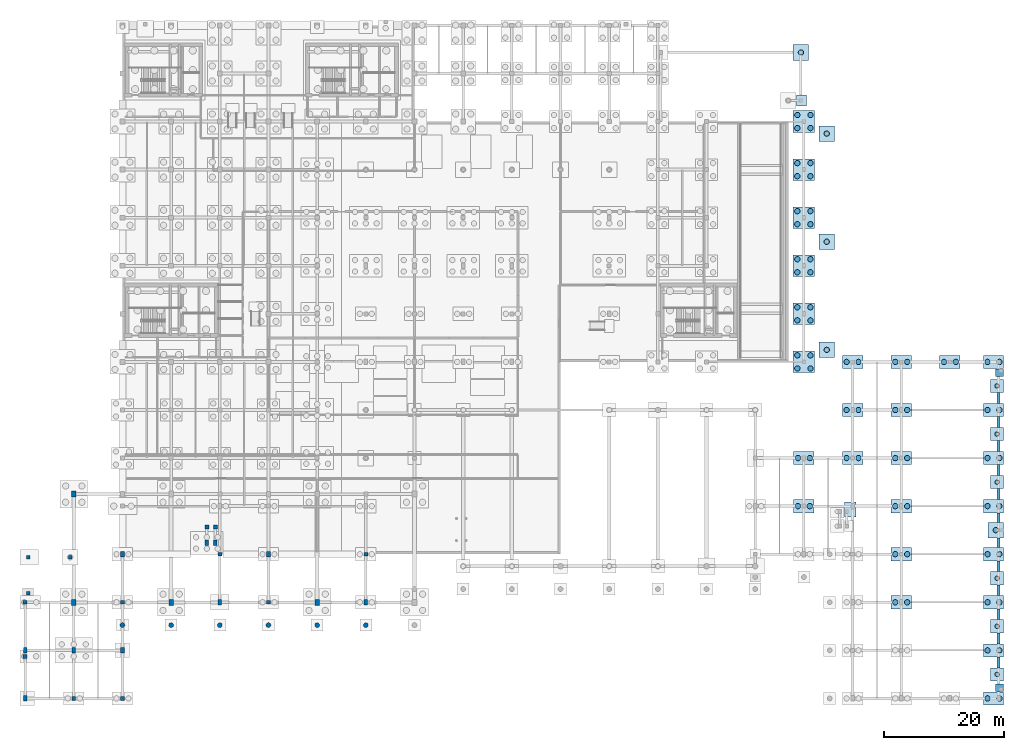
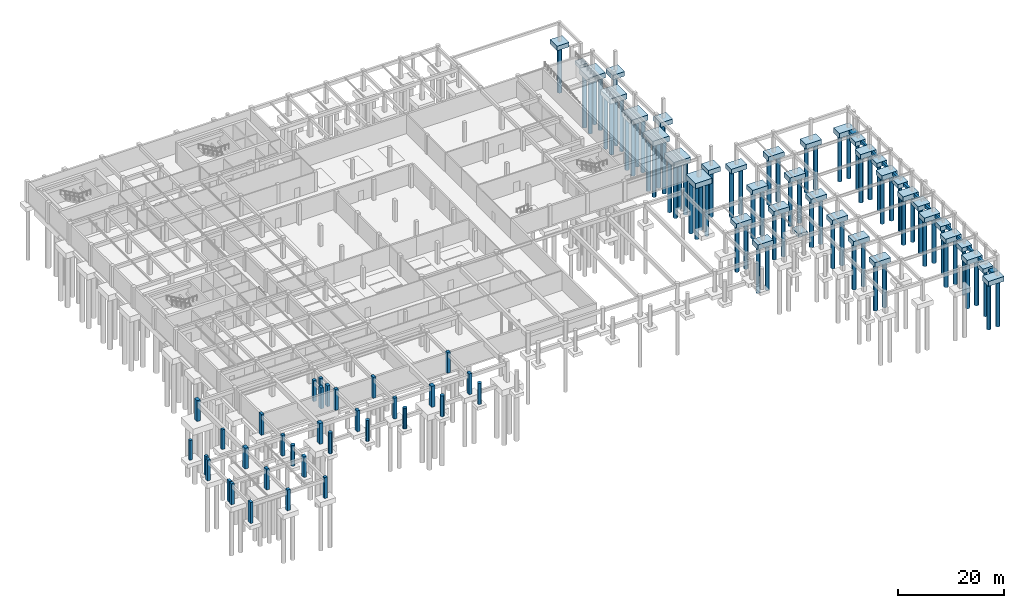
# One storey, part 6 of 25: 75 piles, 53 footings, 33 columns.
"""IFC4 building model written with IfcOpenShell, lengths in metres."""

from ifc_helpers import new_model, si_unit, direction, frame, origin, origin_2d, place, context, subcontext, project, spatial, polyline, rectangle, circle, outline, extrude, material, material_profile, profile_set, type_object, element, save


model = new_model("IFC4")

# Units and contexts
model_context = context("Model", 3, precision=1e-05, world=origin(), true_north=direction((0.0, 1.0)))
body_context = subcontext(model_context, "Body", "Model", "MODEL_VIEW")
ifc_project = project(units=[si_unit("LENGTHUNIT", "METRE"), si_unit("AREAUNIT", "SQUARE_METRE"), si_unit("VOLUMEUNIT", "CUBIC_METRE"), si_unit("PLANEANGLEUNIT", "RADIAN"), si_unit("MASSUNIT", "GRAM", prefix="KILO")], contexts=[model_context])

# Site, building, storey
site_placement = place(None, origin())
site = spatial("IfcSite", under=ifc_project, at=site_placement, CompositionType="ELEMENT")
building_placement = place(site_placement, origin())
building = spatial("IfcBuilding", under=site, at=building_placement, Name="Tarnveldt Square Police Headquarters", CompositionType="ELEMENT")
storey_placement = place(building_placement, frame((0.0, 0.0, -4.800048828125)))
storey = spatial("IfcBuildingStorey", under=building, at=storey_placement, Name="B1", CompositionType="ELEMENT", Elevation=-4.800048828125)

# Footings
ifc_material_1 = material(Name="Concrete 45 MPa", Category="concrete")
footing_type_1 = type_object("IfcFootingType", Name="CAP-PC1", PredefinedType="PILE_CAP", material=ifc_material_1)
for number, where, z_axis, x_axis, name in (
    (1, (161.75, 4.0, -1.0), (0.0, 0.0, 1.0), (1.0, 0.0, 0.0), "Caisson Pile Cap 174"),
    (2, (161.75, 12.0, -1.0), (0.0, 0.0, 1.0), (1.0, 0.0, 0.0), "Caisson Pile Cap 175"),
    (3, (161.75, 20.0, -1.0), (0.0, 0.0, 1.0), (1.0, 0.0, 0.0), "Caisson Pile Cap 176"),
    (4, (161.75, 36.0, -1.0), (0.0, 0.0, 1.0), (1.0, 0.0, 0.0), "Caisson Pile Cap 177"),
    (5, (161.75, 44.0, -1.0), (0.0, 0.0, 1.0), (1.0, 0.0, 0.0), "Caisson Pile Cap 178"),
    (6, (161.75, 52.0, -1.0), (0.0, 0.0, 1.0), (1.0, 0.0, 0.0), "Caisson Pile Cap 179"),
):
    element("IfcFooting", number, at=place(storey_placement, frame(where, z_axis=z_axis, x_axis=x_axis)), inside=storey, type_object=footing_type_1, Name=name, PredefinedType="PILE_CAP", context=body_context, shape_type="SweptSolid", body=[
        extrude(rectangle(XDim=2.199951171875, YDim=2.199951171875, at=origin_2d()), origin(), (0.0, 0.0, 1.0), 1.0),
    ])
footing_type_2 = type_object("IfcFootingType", Name="CAP-PC2", PredefinedType="PILE_CAP", material=ifc_material_1)
for number, where, z_axis, x_axis, name in (
    (7, (129.60009765625, 32.0, -1.10009765625), (0.0, 0.0, 1.0), (1.0, 0.0, 0.0), "Caisson Pile Cap 135"),
    (8, (129.60009765625, 40.0, -1.10009765625), (0.0, 0.0, 1.0), (1.0, 0.0, 0.0), "Caisson Pile Cap 136"),
    (9, (137.699951171875, 40.0, -1.10009765625), (0.0, 0.0, 1.0), (1.0, 0.0, 0.0), "Caisson Pile Cap 152"),
    (10, (137.699951171875, 48.0, -1.10009765625), (0.0, 0.0, 1.0), (1.0, 0.0, 0.0), "Caisson Pile Cap 153"),
    (11, (137.699951171875, 56.0, -1.10009765625), (0.0, 0.0, 1.0), (1.0, 0.0, 0.0), "Caisson Pile Cap 154"),
    (12, (145.800048828125, 16.0, -1.10009765625), (0.0, 0.0, 1.0), (1.0, 0.0, 0.0), "Caisson Pile Cap 157"),
    (13, (145.800048828125, 24.0, -1.10009765625), (0.0, 0.0, 1.0), (1.0, 0.0, 0.0), "Caisson Pile Cap 158"),
    (14, (145.800048828125, 32.0, -1.10009765625), (0.0, 0.0, 1.0), (1.0, 0.0, 0.0), "Caisson Pile Cap 159"),
    (15, (145.800048828125, 40.0, -1.10009765625), (0.0, 0.0, 1.0), (1.0, 0.0, 0.0), "Caisson Pile Cap 160"),
    (16, (145.800048828125, 48.0, -1.10009765625), (0.0, 0.0, 1.0), (1.0, 0.0, 0.0), "Caisson Pile Cap 161"),
    (17, (145.800048828125, 56.0, -1.10009765625), (0.0, 0.0, 1.0), (1.0, 0.0, 0.0), "Caisson Pile Cap 162"),
    (18, (153.89990234375, 56.0, -1.10009765625), (0.0, 0.0, 1.0), (1.0, 0.0, 0.0), "Caisson Pile Cap 164"),
    (19, (161.14990234375, 0.0, -1.10009765625), (0.0, 0.0, 1.0), (1.0, 0.0, 0.0), "Caisson Pile Cap 165"),
    (20, (161.14990234375, 8.0, -1.10009765625), (0.0, 0.0, 1.0), (1.0, 0.0, 0.0), "Caisson Pile Cap 166"),
    (21, (161.14990234375, 16.0, -1.10009765625), (0.0, 0.0, 1.0), (1.0, 0.0, 0.0), "Caisson Pile Cap 167"),
    (22, (161.14990234375, 24.0, -1.10009765625), (0.0, 0.0, 1.0), (1.0, 0.0, 0.0), "Caisson Pile Cap 168"),
    (23, (161.14990234375, 32.0, -1.10009765625), (0.0, 0.0, 1.0), (1.0, 0.0, 0.0), "Caisson Pile Cap 169"),
    (24, (161.14990234375, 40.0, -1.10009765625), (0.0, 0.0, 1.0), (1.0, 0.0, 0.0), "Caisson Pile Cap 170"),
    (25, (161.14990234375, 48.0, -1.10009765625), (0.0, 0.0, 1.0), (1.0, 0.0, 0.0), "Caisson Pile Cap 171"),
    (26, (161.14990234375, 56.0, -1.10009765625), (0.0, 0.0, 1.0), (1.0, 0.0, 0.0), "Caisson Pile Cap 172"),
):
    element("IfcFooting", number, at=place(storey_placement, frame(where, z_axis=z_axis, x_axis=x_axis)), inside=storey, type_object=footing_type_2, Name=name, PredefinedType="PILE_CAP", context=body_context, shape_type="SweptSolid", body=[
        extrude(rectangle(XDim=3.39990234375, YDim=2.199951171875, at=origin_2d()), origin(), (0.0, 0.0, 1.0), 1.10009765625),
    ])
footing_type_3 = type_object("IfcFootingType", Name="CAP-PC3", PredefinedType="PILE_CAP", material=ifc_material_1)
for number, where, z_axis, x_axis, name in (
    (27, (129.60009765625, 56.0, -1.19970703125), (0.0, 0.0, 1.0), (1.0, 0.0, 0.0), "Caisson Pile Cap 137"),
    (28, (129.60009765625, 64.0, -1.19970703125), (0.0, 0.0, 1.0), (1.0, 0.0, 0.0), "Caisson Pile Cap 138"),
    (29, (129.60009765625, 72.0, -1.19970703125), (0.0, 0.0, 1.0), (1.0, 0.0, 0.0), "Caisson Pile Cap 139"),
    (30, (129.60009765625, 80.0, -1.19970703125), (0.0, 0.0, 1.0), (1.0, 0.0, 0.0), "Caisson Pile Cap 140"),
    (31, (129.60009765625, 88.0, -1.19970703125), (0.0, 0.0, 1.0), (1.0, 0.0, 0.0), "Caisson Pile Cap 141"),
    (32, (129.60009765625, 96.0, -1.19970703125), (0.0, 0.0, 1.0), (1.0, 0.0, 0.0), "Caisson Pile Cap 142"),
):
    element("IfcFooting", number, at=place(storey_placement, frame(where, z_axis=z_axis, x_axis=x_axis)), inside=storey, type_object=footing_type_3, Name=name, PredefinedType="PILE_CAP", context=body_context, shape_type="SweptSolid", body=[
        extrude(rectangle(XDim=3.60009765625, YDim=3.60009765625, at=origin_2d()), origin(), (0.0, 0.0, 1.0), 1.199951171875),
    ])
footing_type_4 = type_object("IfcFootingType", Name="CAP-PC9", PredefinedType="PILE_CAP", material=ifc_material_1)
for number, where, z_axis, x_axis, name in (
    (33, (129.10009765625, 107.5, -1.0498046875), (0.0, 0.0, 1.0), (1.0, 0.0, 0.0), "Caisson Pile Cap 133"),
    (34, (133.39990234375, 58.0, -1.0498046875), (0.0, 0.0, 1.0), (1.0, 0.0, 0.0), "Caisson Pile Cap 143"),
    (35, (133.39990234375, 76.0, -1.0498046875), (0.0, 0.0, 1.0), (1.0, 0.0, 0.0), "Caisson Pile Cap 144"),
    (36, (133.39990234375, 94.0, -1.0498046875), (0.0, 0.0, 1.0), (1.0, 0.0, 0.0), "Caisson Pile Cap 145"),
    (37, (161.550048828125, 28.0, -1.0498046875), (0.0, 0.0, 1.0), (1.0, 0.0, 0.0), "Caisson Pile Cap 173"),
):
    element("IfcFooting", number, at=place(storey_placement, frame(where, z_axis=z_axis, x_axis=x_axis)), inside=storey, type_object=footing_type_4, Name=name, PredefinedType="PILE_CAP", context=body_context, shape_type="SweptSolid", body=[
        extrude(rectangle(XDim=2.60009765625, YDim=2.60009765625, at=origin_2d()), origin(), (0.0, 0.0, 1.0), 1.050048828125),
    ])
ifc_material_2 = material(Name="Concrete 40 MPa", Category="concrete")
footing_type_5 = type_object("IfcFootingType", Name="GB-3", PredefinedType="FOOTING_BEAM", material=ifc_material_2)
footing_1_placement = place(storey_placement, frame((0.0, 0.0, -0.699951171875)))
element("IfcFooting", 38, at=footing_1_placement, inside=storey, type_object=footing_type_5, Name="FTG-GB-E Segment 3", PredefinedType="FOOTING_BEAM", context=body_context, shape_type="SweptSolid", body=[
    extrude(outline(polyline([(161.77490234375, 5.10009765625), (162.22509765625, 5.10009765625), (162.22509765625, 6.89990234375), (161.77490234375, 6.89990234375), (161.77490234375, 5.10009765625)])), origin(), (0.0, 0.0, 1.0), 0.699951171875),
])
footing_2_placement = place(storey_placement, frame((0.0, 0.0, -0.699951171875)))
element("IfcFooting", 39, at=footing_2_placement, inside=storey, type_object=footing_type_5, Name="FTG-GB-E Segment 4", PredefinedType="FOOTING_BEAM", context=body_context, shape_type="SweptSolid", body=[
    extrude(outline(polyline([(161.77490234375, 9.10009765625), (162.22509765625, 9.10009765625), (162.22509765625, 10.89990234375), (161.77490234375, 10.89990234375), (161.77490234375, 9.10009765625)])), origin(), (0.0, 0.0, 1.0), 0.699951171875),
])
footing_3_placement = place(storey_placement, frame((0.0, 0.0, -0.699951171875)))
element("IfcFooting", 40, at=footing_3_placement, inside=storey, type_object=footing_type_5, Name="FTG-GB-E Segment 5", PredefinedType="FOOTING_BEAM", context=body_context, shape_type="SweptSolid", body=[
    extrude(outline(polyline([(161.77490234375, 13.10009765625), (162.22509765625, 13.10009765625), (162.22509765625, 14.89990234375), (161.77490234375, 14.89990234375), (161.77490234375, 13.10009765625)])), origin(), (0.0, 0.0, 1.0), 0.699951171875),
])
footing_4_placement = place(storey_placement, frame((0.0, 0.0, -0.699951171875)))
element("IfcFooting", 41, at=footing_4_placement, inside=storey, type_object=footing_type_5, Name="FTG-GB-E Segment 6", PredefinedType="FOOTING_BEAM", context=body_context, shape_type="SweptSolid", body=[
    extrude(outline(polyline([(161.77490234375, 17.10009765625), (162.22509765625, 17.10009765625), (162.22509765625, 18.89990234375), (161.77490234375, 18.89990234375), (161.77490234375, 17.10009765625)])), origin(), (0.0, 0.0, 1.0), 0.699951171875),
])
footing_5_placement = place(storey_placement, frame((0.0, 0.0, -0.699951171875)))
element("IfcFooting", 42, at=footing_5_placement, inside=storey, type_object=footing_type_5, Name="FTG-GB-E Segment 7", PredefinedType="FOOTING_BEAM", context=body_context, shape_type="SweptSolid", body=[
    extrude(outline(polyline([(161.77490234375, 21.10009765625), (162.22509765625, 21.10009765625), (162.22509765625, 22.89990234375), (161.77490234375, 22.89990234375), (161.77490234375, 21.10009765625)])), origin(), (0.0, 0.0, 1.0), 0.699951171875),
])
footing_6_placement = place(storey_placement, frame((0.0, 0.0, -0.699951171875)))
element("IfcFooting", 43, at=footing_6_placement, inside=storey, type_object=footing_type_5, Name="FTG-GB-E Segment 8", PredefinedType="FOOTING_BEAM", context=body_context, shape_type="SweptSolid", body=[
    extrude(outline(polyline([(161.77490234375, 25.10009765625), (162.22509765625, 25.10009765625), (162.22509765625, 26.699951171875), (161.77490234375, 26.699951171875), (161.77490234375, 25.10009765625)])), origin(), (0.0, 0.0, 1.0), 0.699951171875),
])
footing_7_placement = place(storey_placement, frame((0.0, 0.0, -0.699951171875)))
element("IfcFooting", 44, at=footing_7_placement, inside=storey, type_object=footing_type_5, Name="FTG-GB-E Segment 9", PredefinedType="FOOTING_BEAM", context=body_context, shape_type="SweptSolid", body=[
    extrude(outline(polyline([(161.77490234375, 29.300048828125), (162.22509765625, 29.300048828125), (162.22509765625, 30.89990234375), (161.77490234375, 30.89990234375), (161.77490234375, 29.300048828125)])), origin(), (0.0, 0.0, 1.0), 0.699951171875),
])
footing_8_placement = place(storey_placement, frame((0.0, 0.0, -0.699951171875)))
element("IfcFooting", 45, at=footing_8_placement, inside=storey, type_object=footing_type_5, Name="FTG-GB-E Segment 10", PredefinedType="FOOTING_BEAM", context=body_context, shape_type="SweptSolid", body=[
    extrude(outline(polyline([(161.77490234375, 33.10009765625), (162.22509765625, 33.10009765625), (162.22509765625, 34.89990234375), (161.77490234375, 34.89990234375), (161.77490234375, 33.10009765625)])), origin(), (0.0, 0.0, 1.0), 0.699951171875),
])
footing_9_placement = place(storey_placement, frame((0.0, 0.0, -0.699951171875)))
element("IfcFooting", 46, at=footing_9_placement, inside=storey, type_object=footing_type_5, Name="FTG-GB-E Segment 11", PredefinedType="FOOTING_BEAM", context=body_context, shape_type="SweptSolid", body=[
    extrude(outline(polyline([(161.77490234375, 37.10009765625), (162.22509765625, 37.10009765625), (162.22509765625, 38.89990234375), (161.77490234375, 38.89990234375), (161.77490234375, 37.10009765625)])), origin(), (0.0, 0.0, 1.0), 0.699951171875),
])
footing_10_placement = place(storey_placement, frame((0.0, 0.0, -0.699951171875)))
element("IfcFooting", 47, at=footing_10_placement, inside=storey, type_object=footing_type_5, Name="FTG-GB-E Segment 12", PredefinedType="FOOTING_BEAM", context=body_context, shape_type="SweptSolid", body=[
    extrude(outline(polyline([(161.77490234375, 41.10009765625), (162.22509765625, 41.10009765625), (162.22509765625, 42.89990234375), (161.77490234375, 42.89990234375), (161.77490234375, 41.10009765625)])), origin(), (0.0, 0.0, 1.0), 0.699951171875),
])
footing_11_placement = place(storey_placement, frame((0.0, 0.0, -0.699951171875)))
element("IfcFooting", 48, at=footing_11_placement, inside=storey, type_object=footing_type_5, Name="FTG-GB-E Segment 13", PredefinedType="FOOTING_BEAM", context=body_context, shape_type="SweptSolid", body=[
    extrude(outline(polyline([(161.77490234375, 45.10009765625), (162.22509765625, 45.10009765625), (162.22509765625, 46.89990234375), (161.77490234375, 46.89990234375), (161.77490234375, 45.10009765625)])), origin(), (0.0, 0.0, 1.0), 0.699951171875),
])
footing_12_placement = place(storey_placement, frame((0.0, 0.0, -0.699951171875)))
element("IfcFooting", 49, at=footing_12_placement, inside=storey, type_object=footing_type_5, Name="FTG-GB-E Segment 14", PredefinedType="FOOTING_BEAM", context=body_context, shape_type="SweptSolid", body=[
    extrude(outline(polyline([(161.77490234375, 49.10009765625), (162.22509765625, 49.10009765625), (162.22509765625, 50.89990234375), (161.77490234375, 50.89990234375), (161.77490234375, 49.10009765625)])), origin(), (0.0, 0.0, 1.0), 0.699951171875),
])
footing_type_6 = type_object("IfcFootingType", Name="PAD-PF4", PredefinedType="PAD_FOOTING", material=ifc_material_2)
footing_13_placement = place(storey_placement, frame((0.0, 0.0, -0.75)))
element("IfcFooting", 50, at=footing_13_placement, inside=storey, type_object=footing_type_6, Name="Spread Pad Footing 15", PredefinedType="PAD_FOOTING", context=body_context, shape_type="SweptSolid", body=[
    extrude(outline(polyline([(128.360107421875, 98.60009765625), (130.0, 98.60009765625), (130.0, 100.39990234375), (128.360107421875, 100.39990234375), (128.360107421875, 98.60009765625)])), origin(), (0.0, 0.0, 1.0), 0.75),
])
footing_14_placement = place(storey_placement, frame((0.0, 0.0, -0.75)))
element("IfcFooting", 51, at=footing_14_placement, inside=storey, type_object=footing_type_6, Name="Spread Pad Footing 17", PredefinedType="PAD_FOOTING", context=body_context, shape_type="SweptSolid", body=[
    extrude(outline(polyline([(136.320068359375, 30.199951171875), (138.300048828125, 30.199951171875), (138.300048828125, 32.64990234375), (136.320068359375, 32.64990234375), (136.320068359375, 30.199951171875)])), origin(), (0.0, 0.0, 1.0), 0.75),
])
footing_15_placement = place(storey_placement, frame((0.0, 0.0, -0.75)))
element("IfcFooting", 52, at=footing_15_placement, inside=storey, type_object=footing_type_6, Name="Spread Pad Footing 18", PredefinedType="PAD_FOOTING", context=body_context, shape_type="SweptSolid", body=[
    extrude(outline(polyline([(161.5, 1.159912109375), (162.85009765625, 1.159912109375), (162.85009765625, 2.39990234375), (161.5, 2.39990234375), (161.5, 1.159912109375)])), origin(), (0.0, 0.0, 1.0), 0.75),
])
footing_16_placement = place(storey_placement, frame((0.0, 0.0, -0.75)))
element("IfcFooting", 53, at=footing_16_placement, inside=storey, type_object=footing_type_6, Name="Spread Pad Footing 19", PredefinedType="PAD_FOOTING", context=body_context, shape_type="SweptSolid", body=[
    extrude(outline(polyline([(161.5, 53.60009765625), (162.85009765625, 53.60009765625), (162.85009765625, 54.840087890625), (161.5, 54.840087890625), (161.5, 53.60009765625)])), origin(), (0.0, 0.0, 1.0), 0.75),
])

# Piles
ifc_material_profile_1 = material_profile(ifc_material_1, circle(Radius=0.375, at=origin_2d()), Name="CAISSON-D750")
ifc_profile_set_1 = profile_set([ifc_material_profile_1], Name="Concrete 45 MPa")
pile_type_1 = type_object("IfcPileType", Name="PILE-CA1", PredefinedType="BORED", material=ifc_profile_set_1)
for number, where, z_axis, x_axis, name in (
    (54, (161.75, 4.0, -0.89990234375), (0.0, 0.0, -1.0), (1.0, 0.0, 0.0), "Bored Caisson C174.1"),
    (55, (161.75, 12.0, -0.89990234375), (0.0, 0.0, -1.0), (1.0, 0.0, 0.0), "Bored Caisson C175.1"),
    (56, (161.75, 20.0, -0.89990234375), (0.0, 0.0, -1.0), (1.0, 0.0, 0.0), "Bored Caisson C176.1"),
    (57, (161.75, 36.0, -0.89990234375), (0.0, 0.0, -1.0), (1.0, 0.0, 0.0), "Bored Caisson C177.1"),
    (58, (161.75, 44.0, -0.89990234375), (0.0, 0.0, -1.0), (1.0, 0.0, 0.0), "Bored Caisson C178.1"),
    (59, (161.75, 52.0, -0.89990234375), (0.0, 0.0, -1.0), (1.0, 0.0, 0.0), "Bored Caisson C179.1"),
):
    element("IfcPile", number, at=place(storey_placement, frame(where, z_axis=z_axis, x_axis=x_axis)), inside=storey, type_object=pile_type_1, Name=name, PredefinedType="BORED", context=body_context, shape_type="SweptSolid", body=[
        extrude(circle(Radius=0.375, at=origin_2d()), origin(), (0.0, 0.0, 1.0), 10.800048828125),
    ])
ifc_material_profile_2 = material_profile(ifc_material_1, circle(Radius=0.449951171875, at=origin_2d()), Name="CAISSON-D900")
ifc_profile_set_2 = profile_set([ifc_material_profile_2], Name="Concrete 45 MPa")
pile_type_2 = type_object("IfcPileType", Name="PILE-CA2", PredefinedType="BORED", material=ifc_profile_set_2)
pile_1_placement = place(storey_placement, frame((129.10009765625, 107.5, -0.949951171875), z_axis=(0.0, 0.0, -1.0), x_axis=(1.0, 0.0, 0.0)))
element("IfcPile", 60, at=pile_1_placement, inside=storey, type_object=pile_type_2, Name="Bored Caisson C133.1", PredefinedType="BORED", context=body_context, shape_type="SweptSolid", body=[
    extrude(circle(Radius=0.449951171875, at=origin_2d()), origin(), (0.0, 0.0, 1.0), 10.75),
])
for number, where, z_axis, x_axis, name in (
    (61, (128.610107421875, 32.0, -1.0), (0.0, 0.0, -1.0), (1.0, 0.0, 0.0), "Bored Caisson C135.1"),
    (62, (130.590087890625, 32.0, -1.0), (0.0, 0.0, -1.0), (1.0, 0.0, 0.0), "Bored Caisson C135.2"),
    (63, (128.610107421875, 40.0, -1.0), (0.0, 0.0, -1.0), (1.0, 0.0, 0.0), "Bored Caisson C136.1"),
    (64, (130.590087890625, 40.0, -1.0), (0.0, 0.0, -1.0), (1.0, 0.0, 0.0), "Bored Caisson C136.2"),
):
    element("IfcPile", number, at=place(storey_placement, frame(where, z_axis=z_axis, x_axis=x_axis)), inside=storey, type_object=pile_type_2, Name=name, PredefinedType="BORED", context=body_context, shape_type="SweptSolid", body=[
        extrude(circle(Radius=0.449951171875, at=origin_2d()), origin(), (0.0, 0.0, 1.0), 10.699951171875),
    ])
for number, where, z_axis, x_axis, name in (
    (65, (128.510009765625, 54.909912109375, -1.099853515625), (0.0, 0.0, -1.0), (1.0, 0.0, 0.0), "Bored Caisson C137.1"),
    (66, (128.510009765625, 57.090087890625, -1.099853515625), (0.0, 0.0, -1.0), (1.0, 0.0, 0.0), "Bored Caisson C137.2"),
    (67, (130.68994140625, 54.909912109375, -1.099853515625), (0.0, 0.0, -1.0), (1.0, 0.0, 0.0), "Bored Caisson C137.3"),
    (68, (130.68994140625, 57.090087890625, -1.099853515625), (0.0, 0.0, -1.0), (1.0, 0.0, 0.0), "Bored Caisson C137.4"),
    (69, (128.510009765625, 62.909912109375, -1.099853515625), (0.0, 0.0, -1.0), (1.0, 0.0, 0.0), "Bored Caisson C138.1"),
    (70, (128.510009765625, 65.090087890625, -1.099853515625), (0.0, 0.0, -1.0), (1.0, 0.0, 0.0), "Bored Caisson C138.2"),
    (71, (130.68994140625, 62.909912109375, -1.099853515625), (0.0, 0.0, -1.0), (1.0, 0.0, 0.0), "Bored Caisson C138.3"),
    (72, (130.68994140625, 65.090087890625, -1.099853515625), (0.0, 0.0, -1.0), (1.0, 0.0, 0.0), "Bored Caisson C138.4"),
    (73, (128.510009765625, 70.909912109375, -1.099853515625), (0.0, 0.0, -1.0), (1.0, 0.0, 0.0), "Bored Caisson C139.1"),
    (74, (128.510009765625, 73.090087890625, -1.099853515625), (0.0, 0.0, -1.0), (1.0, 0.0, 0.0), "Bored Caisson C139.2"),
    (75, (130.68994140625, 70.909912109375, -1.099853515625), (0.0, 0.0, -1.0), (1.0, 0.0, 0.0), "Bored Caisson C139.3"),
    (76, (130.68994140625, 73.090087890625, -1.099853515625), (0.0, 0.0, -1.0), (1.0, 0.0, 0.0), "Bored Caisson C139.4"),
    (77, (128.510009765625, 78.909912109375, -1.099853515625), (0.0, 0.0, -1.0), (1.0, 0.0, 0.0), "Bored Caisson C140.1"),
    (78, (128.510009765625, 81.090087890625, -1.099853515625), (0.0, 0.0, -1.0), (1.0, 0.0, 0.0), "Bored Caisson C140.2"),
    (79, (130.68994140625, 78.909912109375, -1.099853515625), (0.0, 0.0, -1.0), (1.0, 0.0, 0.0), "Bored Caisson C140.3"),
    (80, (130.68994140625, 81.090087890625, -1.099853515625), (0.0, 0.0, -1.0), (1.0, 0.0, 0.0), "Bored Caisson C140.4"),
    (81, (128.510009765625, 86.909912109375, -1.099853515625), (0.0, 0.0, -1.0), (1.0, 0.0, 0.0), "Bored Caisson C141.1"),
    (82, (128.510009765625, 89.090087890625, -1.099853515625), (0.0, 0.0, -1.0), (1.0, 0.0, 0.0), "Bored Caisson C141.2"),
    (83, (130.68994140625, 86.909912109375, -1.099853515625), (0.0, 0.0, -1.0), (1.0, 0.0, 0.0), "Bored Caisson C141.3"),
    (84, (130.68994140625, 89.090087890625, -1.099853515625), (0.0, 0.0, -1.0), (1.0, 0.0, 0.0), "Bored Caisson C141.4"),
    (85, (128.510009765625, 94.909912109375, -1.099853515625), (0.0, 0.0, -1.0), (1.0, 0.0, 0.0), "Bored Caisson C142.1"),
    (86, (128.510009765625, 97.090087890625, -1.099853515625), (0.0, 0.0, -1.0), (1.0, 0.0, 0.0), "Bored Caisson C142.2"),
    (87, (130.68994140625, 94.909912109375, -1.099853515625), (0.0, 0.0, -1.0), (1.0, 0.0, 0.0), "Bored Caisson C142.3"),
    (88, (130.68994140625, 97.090087890625, -1.099853515625), (0.0, 0.0, -1.0), (1.0, 0.0, 0.0), "Bored Caisson C142.4"),
):
    element("IfcPile", number, at=place(storey_placement, frame(where, z_axis=z_axis, x_axis=x_axis)), inside=storey, type_object=pile_type_2, Name=name, PredefinedType="BORED", context=body_context, shape_type="SweptSolid", body=[
        extrude(circle(Radius=0.449951171875, at=origin_2d()), origin(), (0.0, 0.0, 1.0), 12.10009765625),
    ])
for number, where, z_axis, x_axis, name in (
    (89, (133.39990234375, 58.0, -0.949951171875), (0.0, 0.0, -1.0), (1.0, 0.0, 0.0), "Bored Caisson C143.1"),
    (90, (133.39990234375, 76.0, -0.949951171875), (0.0, 0.0, -1.0), (1.0, 0.0, 0.0), "Bored Caisson C144.1"),
    (91, (133.39990234375, 94.0, -0.949951171875), (0.0, 0.0, -1.0), (1.0, 0.0, 0.0), "Bored Caisson C145.1"),
):
    element("IfcPile", number, at=place(storey_placement, frame(where, z_axis=z_axis, x_axis=x_axis)), inside=storey, type_object=pile_type_2, Name=name, PredefinedType="BORED", context=body_context, shape_type="SweptSolid", body=[
        extrude(circle(Radius=0.449951171875, at=origin_2d()), origin(), (0.0, 0.0, 1.0), 10.75),
    ])
for number, where, z_axis, x_axis, name in (
    (92, (136.7099609375, 40.0, -1.0), (0.0, 0.0, -1.0), (1.0, 0.0, 0.0), "Bored Caisson C152.1"),
    (93, (138.68994140625, 40.0, -1.0), (0.0, 0.0, -1.0), (1.0, 0.0, 0.0), "Bored Caisson C152.2"),
    (94, (136.7099609375, 48.0, -1.0), (0.0, 0.0, -1.0), (1.0, 0.0, 0.0), "Bored Caisson C153.1"),
    (95, (138.68994140625, 48.0, -1.0), (0.0, 0.0, -1.0), (1.0, 0.0, 0.0), "Bored Caisson C153.2"),
    (96, (136.7099609375, 56.0, -1.0), (0.0, 0.0, -1.0), (1.0, 0.0, 0.0), "Bored Caisson C154.1"),
    (97, (138.68994140625, 56.0, -1.0), (0.0, 0.0, -1.0), (1.0, 0.0, 0.0), "Bored Caisson C154.2"),
    (98, (144.81005859375, 16.0, -1.0), (0.0, 0.0, -1.0), (1.0, 0.0, 0.0), "Bored Caisson C157.1"),
    (99, (146.7900390625, 16.0, -1.0), (0.0, 0.0, -1.0), (1.0, 0.0, 0.0), "Bored Caisson C157.2"),
    (100, (144.81005859375, 24.0, -1.0), (0.0, 0.0, -1.0), (1.0, 0.0, 0.0), "Bored Caisson C158.1"),
    (101, (146.7900390625, 24.0, -1.0), (0.0, 0.0, -1.0), (1.0, 0.0, 0.0), "Bored Caisson C158.2"),
    (102, (144.81005859375, 32.0, -1.0), (0.0, 0.0, -1.0), (1.0, 0.0, 0.0), "Bored Caisson C159.1"),
    (103, (146.7900390625, 32.0, -1.0), (0.0, 0.0, -1.0), (1.0, 0.0, 0.0), "Bored Caisson C159.2"),
    (104, (144.81005859375, 40.0, -1.0), (0.0, 0.0, -1.0), (1.0, 0.0, 0.0), "Bored Caisson C160.1"),
    (105, (146.7900390625, 40.0, -1.0), (0.0, 0.0, -1.0), (1.0, 0.0, 0.0), "Bored Caisson C160.2"),
    (106, (144.81005859375, 48.0, -1.0), (0.0, 0.0, -1.0), (1.0, 0.0, 0.0), "Bored Caisson C161.1"),
    (107, (146.7900390625, 48.0, -1.0), (0.0, 0.0, -1.0), (1.0, 0.0, 0.0), "Bored Caisson C161.2"),
    (108, (144.81005859375, 56.0, -1.0), (0.0, 0.0, -1.0), (1.0, 0.0, 0.0), "Bored Caisson C162.1"),
    (109, (146.7900390625, 56.0, -1.0), (0.0, 0.0, -1.0), (1.0, 0.0, 0.0), "Bored Caisson C162.2"),
    (110, (152.909912109375, 56.0, -1.0), (0.0, 0.0, -1.0), (1.0, 0.0, 0.0), "Bored Caisson C164.1"),
    (111, (154.889892578125, 56.0, -1.0), (0.0, 0.0, -1.0), (1.0, 0.0, 0.0), "Bored Caisson C164.2"),
    (112, (160.159912109375, 0.0, -1.0), (0.0, 0.0, -1.0), (1.0, 0.0, 0.0), "Bored Caisson C165.1"),
    (113, (162.139892578125, 0.0, -1.0), (0.0, 0.0, -1.0), (1.0, 0.0, 0.0), "Bored Caisson C165.2"),
    (114, (160.159912109375, 8.0, -1.0), (0.0, 0.0, -1.0), (1.0, 0.0, 0.0), "Bored Caisson C166.1"),
    (115, (162.139892578125, 8.0, -1.0), (0.0, 0.0, -1.0), (1.0, 0.0, 0.0), "Bored Caisson C166.2"),
    (116, (160.159912109375, 16.0, -1.0), (0.0, 0.0, -1.0), (1.0, 0.0, 0.0), "Bored Caisson C167.1"),
    (117, (162.139892578125, 16.0, -1.0), (0.0, 0.0, -1.0), (1.0, 0.0, 0.0), "Bored Caisson C167.2"),
    (118, (160.159912109375, 24.0, -1.0), (0.0, 0.0, -1.0), (1.0, 0.0, 0.0), "Bored Caisson C168.1"),
    (119, (162.139892578125, 24.0, -1.0), (0.0, 0.0, -1.0), (1.0, 0.0, 0.0), "Bored Caisson C168.2"),
    (120, (160.159912109375, 32.0, -1.0), (0.0, 0.0, -1.0), (1.0, 0.0, 0.0), "Bored Caisson C169.1"),
    (121, (162.139892578125, 32.0, -1.0), (0.0, 0.0, -1.0), (1.0, 0.0, 0.0), "Bored Caisson C169.2"),
    (122, (160.159912109375, 40.0, -1.0), (0.0, 0.0, -1.0), (1.0, 0.0, 0.0), "Bored Caisson C170.1"),
    (123, (162.139892578125, 40.0, -1.0), (0.0, 0.0, -1.0), (1.0, 0.0, 0.0), "Bored Caisson C170.2"),
    (124, (160.159912109375, 48.0, -1.0), (0.0, 0.0, -1.0), (1.0, 0.0, 0.0), "Bored Caisson C171.1"),
    (125, (162.139892578125, 48.0, -1.0), (0.0, 0.0, -1.0), (1.0, 0.0, 0.0), "Bored Caisson C171.2"),
    (126, (160.159912109375, 56.0, -1.0), (0.0, 0.0, -1.0), (1.0, 0.0, 0.0), "Bored Caisson C172.1"),
    (127, (162.139892578125, 56.0, -1.0), (0.0, 0.0, -1.0), (1.0, 0.0, 0.0), "Bored Caisson C172.2"),
):
    element("IfcPile", number, at=place(storey_placement, frame(where, z_axis=z_axis, x_axis=x_axis)), inside=storey, type_object=pile_type_2, Name=name, PredefinedType="BORED", context=body_context, shape_type="SweptSolid", body=[
        extrude(circle(Radius=0.449951171875, at=origin_2d()), origin(), (0.0, 0.0, 1.0), 10.699951171875),
    ])
pile_2_placement = place(storey_placement, frame((161.550048828125, 28.0, -0.949951171875), z_axis=(0.0, 0.0, -1.0), x_axis=(1.0, 0.0, 0.0)))
element("IfcPile", 128, at=pile_2_placement, inside=storey, type_object=pile_type_2, Name="Bored Caisson C173.1", PredefinedType="BORED", context=body_context, shape_type="SweptSolid", body=[
    extrude(circle(Radius=0.449951171875, at=origin_2d()), origin(), (0.0, 0.0, 1.0), 10.75),
])

# Columns
ifc_material_profile_3 = material_profile(ifc_material_2, circle(Radius=0.39990234375, at=origin_2d()), Name="RC-D800")
ifc_profile_set_3 = profile_set([ifc_material_profile_3], Name="Concrete 40 MPa")
column_type_1 = type_object("IfcColumnType", Name="COL-D800", PredefinedType="COLUMN", material=ifc_profile_set_3)
for number, where, z_axis, x_axis, name in (
    (129, (16.199951171875, 12.199951171875, 0.0), (0.0, 0.0, 1.0), (1.0, 0.0, 0.0), "Colonnade Foundation Pier 1"),
    (130, (24.300048828125, 12.199951171875, 0.0), (0.0, 0.0, 1.0), (1.0, 0.0, 0.0), "Colonnade Foundation Pier 2"),
    (131, (32.39990234375, 12.199951171875, 0.0), (0.0, 0.0, 1.0), (1.0, 0.0, 0.0), "Colonnade Foundation Pier 3"),
    (132, (40.5, 12.199951171875, 0.0), (0.0, 0.0, 1.0), (1.0, 0.0, 0.0), "Colonnade Foundation Pier 4"),
    (133, (48.60009765625, 12.199951171875, 0.0), (0.0, 0.0, 1.0), (1.0, 0.0, 0.0), "Colonnade Foundation Pier 5"),
    (134, (56.699951171875, 12.199951171875, 0.0), (0.0, 0.0, 1.0), (1.0, 0.0, 0.0), "Colonnade Foundation Pier 6"),
):
    element("IfcColumn", number, at=place(storey_placement, frame(where, z_axis=z_axis, x_axis=x_axis)), inside=storey, type_object=column_type_1, Name=name, PredefinedType="COLUMN", context=body_context, shape_type="SweptSolid", body=[
        extrude(circle(Radius=0.39990234375, at=origin_2d()), origin(), (0.0, 0.0, 1.0), 4.800048828125),
    ])
ifc_material_profile_4 = material_profile(ifc_material_2, rectangle(XDim=0.60009765625, YDim=0.60009765625, at=origin_2d()), Name="RC-C600x600")
ifc_profile_set_4 = profile_set([ifc_material_profile_4], Name="Concrete 40 MPa")
column_type_2 = type_object("IfcColumnType", Name="COL-RC600", PredefinedType="COLUMN", material=ifc_profile_set_4)
for number, where, z_axis, x_axis, name in (
    (135, (0.5, 17.5, 0.0), (0.0, 0.0, 1.0), (1.0, 0.0, 0.0), "B1 Column 005"),
    (136, (0.5, 23.5, 0.0), (0.0, 0.0, 1.0), (1.0, 0.0, 0.0), "B1 Column 006"),
    (137, (7.5, 23.5, 0.0), (0.0, 0.0, 1.0), (1.0, 0.0, 0.0), "B1 Column 007"),
):
    element("IfcColumn", number, at=place(storey_placement, frame(where, z_axis=z_axis, x_axis=x_axis)), inside=storey, type_object=column_type_2, Name=name, PredefinedType="COLUMN", context=body_context, shape_type="SweptSolid", body=[
        extrude(rectangle(XDim=0.60009765625, YDim=0.60009765625, at=origin_2d()), origin(), (0.0, 0.0, 1.0), 4.510009765625),
    ])
ifc_material_3 = material(Name="Concrete 50 MPa", Category="concrete")
ifc_material_profile_5 = material_profile(ifc_material_3, rectangle(XDim=0.60009765625, YDim=0.89990234375, at=origin_2d()), Name="RC-C600x900")
ifc_profile_set_5 = profile_set([ifc_material_profile_5], Name="Concrete 50 MPa")
column_type_3 = type_object("IfcColumnType", Name="COL-RC600x900", PredefinedType="COLUMN", material=ifc_profile_set_5)
for number, where, z_axis, x_axis, name in (
    (138, (0.0, 0.0, 0.0), (0.0, 0.0, 1.0), (1.0, 0.0, 0.0), "B1 Column 001"),
    (139, (0.0, 8.0, 0.0), (0.0, 0.0, 1.0), (1.0, 0.0, 0.0), "B1 Column 003"),
    (140, (8.10009765625, 8.0, 0.0), (0.0, 0.0, 1.0), (1.0, 0.0, 0.0), "B1 Column 009"),
    (141, (16.199951171875, 8.0, 0.0), (0.0, 0.0, 1.0), (1.0, 0.0, 0.0), "B1 Column 013"),
    (142, (16.199951171875, 24.0, 0.0), (0.0, 0.0, 1.0), (1.0, 0.0, 0.0), "B1 Column 015"),
    (143, (30.25, 25.8798828125, 0.0), (0.0, 0.0, 1.0), (1.0, 0.0, 0.0), "B1 Column 039"),
    (144, (31.64990234375, 25.8798828125, 0.0), (0.0, 0.0, 1.0), (1.0, 0.0, 0.0), "B1 Column 041"),
    (145, (32.39990234375, 16.0, 0.0), (0.0, 0.0, 1.0), (1.0, 0.0, 0.0), "B1 Column 043"),
    (146, (40.5, 24.0, 0.0), (0.0, 0.0, 1.0), (1.0, 0.0, 0.0), "B1 Column 057"),
    (147, (56.699951171875, 16.0, 0.0), (0.0, 0.0, 1.0), (1.0, 0.0, 0.0), "B1 Column 081"),
):
    element("IfcColumn", number, at=place(storey_placement, frame(where, z_axis=z_axis, x_axis=x_axis)), inside=storey, type_object=column_type_3, Name=name, PredefinedType="COLUMN", context=body_context, shape_type="SweptSolid", body=[
        extrude(rectangle(XDim=0.60009765625, YDim=0.89990234375, at=origin_2d()), origin(), (0.0, 0.0, 1.0), 4.800048828125),
    ])
ifc_material_profile_6 = material_profile(ifc_material_3, rectangle(XDim=0.64990234375, YDim=0.64990234375, at=origin_2d()), Name="RC-C650x650")
ifc_profile_set_6 = profile_set([ifc_material_profile_6], Name="Concrete 50 MPa")
column_type_4 = type_object("IfcColumnType", Name="COL-RC650", PredefinedType="COLUMN", material=ifc_profile_set_6)
for number, where, z_axis, x_axis, name in (
    (148, (0.0, 7.0, 0.0), (0.0, 0.0, 1.0), (1.0, 0.0, 0.0), "B1 Column 002"),
    (149, (0.0, 16.0, 0.0), (0.0, 0.0, 1.0), (1.0, 0.0, 0.0), "B1 Column 004"),
    (150, (8.10009765625, 0.0, 0.0), (0.0, 0.0, 1.0), (1.0, 0.0, 0.0), "B1 Column 008"),
    (151, (16.199951171875, 0.0, 0.0), (0.0, 0.0, 1.0), (1.0, 0.0, 0.0), "B1 Column 012"),
    (152, (16.199951171875, 16.0, 0.0), (0.0, 0.0, 1.0), (1.0, 0.0, 0.0), "B1 Column 014"),
    (153, (30.25, 28.52001953125, 0.0), (0.0, 0.0, 1.0), (1.0, 0.0, 0.0), "B1 Column 040"),
    (154, (31.64990234375, 28.52001953125, 0.0), (0.0, 0.0, 1.0), (1.0, 0.0, 0.0), "B1 Column 042"),
    (155, (32.39990234375, 24.0, 0.0), (0.0, 0.0, 1.0), (1.0, 0.0, 0.0), "B1 Column 044"),
    (156, (40.5, 16.0, 0.0), (0.0, 0.0, 1.0), (1.0, 0.0, 0.0), "B1 Column 056"),
    (157, (56.699951171875, 24.0, 0.0), (0.0, 0.0, 1.0), (1.0, 0.0, 0.0), "B1 Column 082"),
):
    element("IfcColumn", number, at=place(storey_placement, frame(where, z_axis=z_axis, x_axis=x_axis)), inside=storey, type_object=column_type_4, Name=name, PredefinedType="COLUMN", context=body_context, shape_type="SweptSolid", body=[
        extrude(rectangle(XDim=0.64990234375, YDim=0.64990234375, at=origin_2d()), origin(), (0.0, 0.0, 1.0), 4.800048828125),
    ])
ifc_material_profile_7 = material_profile(ifc_material_3, rectangle(XDim=0.75, YDim=1.0, at=origin_2d()), Name="RC-C750x1000")
ifc_profile_set_7 = profile_set([ifc_material_profile_7], Name="Concrete 50 MPa")
column_type_5 = type_object("IfcColumnType", Name="COL-RC750x1000", PredefinedType="COLUMN", material=ifc_profile_set_7)
for number, where, z_axis, x_axis, name in (
    (158, (8.10009765625, 16.0, 0.0), (0.0, 0.0, 1.0), (1.0, 0.0, 0.0), "B1 Column 010"),
    (159, (8.10009765625, 34.0, 0.0), (0.0, 0.0, 1.0), (1.0, 0.0, 0.0), "B1 Column 011"),
    (160, (24.300048828125, 16.0, 0.0), (0.0, 0.0, 1.0), (1.0, 0.0, 0.0), "B1 Column 029"),
    (161, (48.60009765625, 16.0, 0.0), (0.0, 0.0, 1.0), (1.0, 0.0, 0.0), "B1 Column 070"),
):
    element("IfcColumn", number, at=place(storey_placement, frame(where, z_axis=z_axis, x_axis=x_axis)), inside=storey, type_object=column_type_5, Name=name, PredefinedType="COLUMN", context=body_context, shape_type="SweptSolid", body=[
        extrude(rectangle(XDim=0.75, YDim=1.0, at=origin_2d()), origin(), (0.0, 0.0, 1.0), 4.800048828125),
    ])

save(model, "model.ifc")
